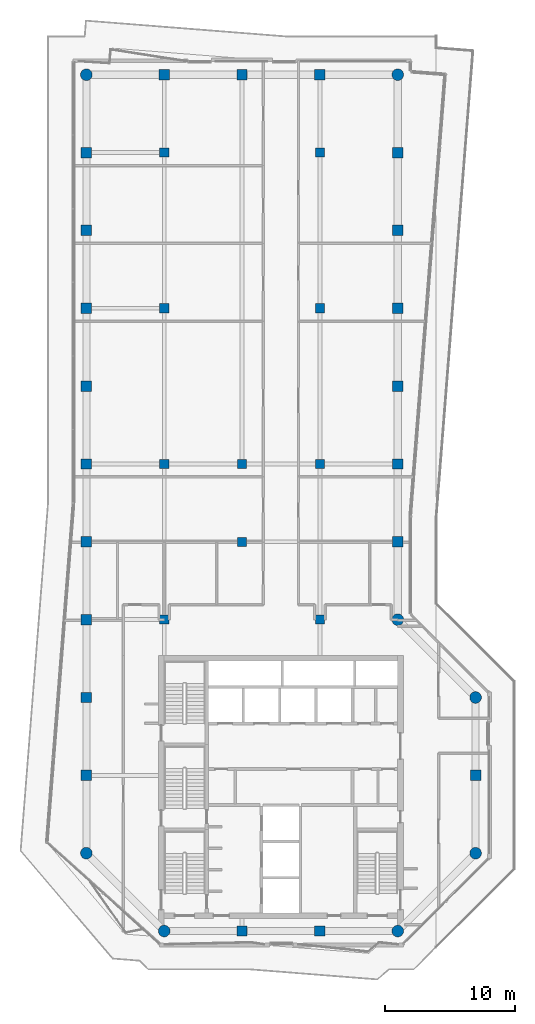
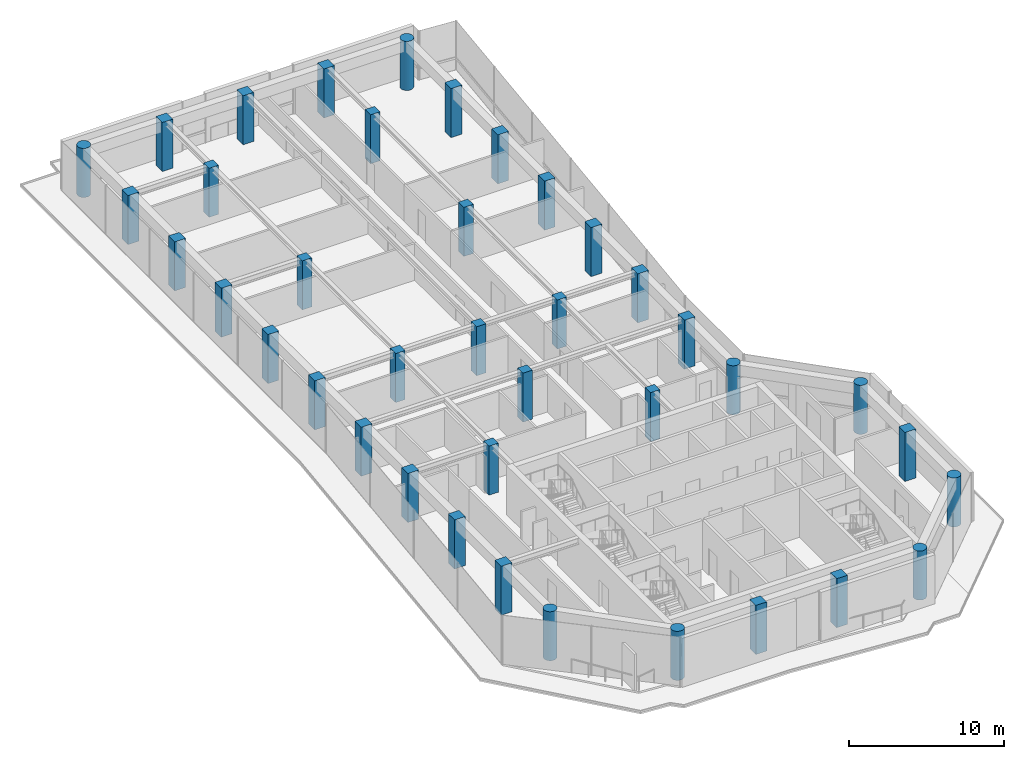
# One storey, part 1 of 23: 39 columns.
"""IFC4 building model written with IfcOpenShell, lengths in metres."""

import ifcopenshell
import ifcopenshell.guid

model = None  # the IFC model being written
_history = None  # IfcOwnerHistory: only IFC2X3 demands one
_inside = {}  # id of a spatial element -> (the spatial element, [elements in it])
_under = {}  # id of a project, library or spatial element -> (it, [spatial elements below it])
_declared = {}  # id of a project -> (the project, [libraries it declares])
_typed = {}  # id of a type object -> (the type object, [elements of that type])
_made_of = {}  # id of a material, layer set ... -> (it, [elements and type objects made of it])


def new_model(schema):
    """Start an empty IFC model of exactly this schema.

    Asked for "IFC4X3", IfcOpenShell would pick the latest addendum, in which some entities
    have other attributes; the version numbers below select the first issue.
    IFC2X3 requires an IfcOwnerHistory on every rooted entity: one is made here for all.
    """
    global model, _history
    if schema == "IFC4X3":
        model = ifcopenshell.file(schema_version=(4, 3, 0, 0))
    else:
        model = ifcopenshell.file(schema=schema)
    _inside.clear()
    _under.clear()
    _declared.clear()
    _typed.clear()
    _made_of.clear()
    _history = None
    if model.schema == "IFC2X3":
        org = make("IfcOrganization", Name="unknown")
        user = make(
            "IfcPersonAndOrganization",
            ThePerson=make("IfcPerson", FamilyName="unknown"),
            TheOrganization=org,
        )
        app = make(
            "IfcApplication",
            ApplicationDeveloper=org,
            Version="unknown",
            ApplicationFullName="unknown",
            ApplicationIdentifier="unknown",
        )
        _history = make(
            "IfcOwnerHistory",
            OwningUser=user,
            OwningApplication=app,
            ChangeAction="ADDED",
            CreationDate=0,
        )
    return model


def make(cls, **values):
    """One entity of the class cls with the attributes given. An attribute that is None is left unset."""
    return model.create_entity(
        cls, **{name: value for name, value in values.items() if value is not None}
    )


def rooted(cls, **values):
    """An entity with a GlobalId (a new one), such as an element, a storey or a relation."""
    return make(cls, GlobalId=ifcopenshell.guid.new(), OwnerHistory=_history, **values)


def si_unit(unit_type, name, prefix=None):
    """IfcSIUnit, for example si_unit("LENGTHUNIT", "METRE", prefix="MILLI")."""
    return make("IfcSIUnit", UnitType=unit_type, Prefix=prefix, Name=name)


def assignment(units):
    """IfcUnitAssignment: the units of a project."""
    return None if units is None else make("IfcUnitAssignment", Units=units)


def point(xyz):
    """IfcCartesianPoint."""
    return None if xyz is None else make("IfcCartesianPoint", Coordinates=xyz)


def direction(xyz):
    """IfcDirection."""
    return None if xyz is None else make("IfcDirection", DirectionRatios=xyz)


def frame(location, z_axis=None, x_axis=None):
    """IfcAxis2Placement3D, a coordinate frame: its origin and axes. An axis left out is left unset."""
    return make(
        "IfcAxis2Placement3D",
        Location=point(location),
        Axis=direction(z_axis),
        RefDirection=direction(x_axis),
    )


def frame_2d(location, x_axis=None):
    """IfcAxis2Placement2D, a coordinate frame in the plane: its origin and x axis."""
    return make(
        "IfcAxis2Placement2D", Location=point(location), RefDirection=direction(x_axis)
    )


def origin():
    """The frame at (0, 0, 0) with its axes left unset."""
    return frame((0.0, 0.0, 0.0))


def origin_2d():
    """The frame at (0, 0) in the plane with its x axis left unset."""
    return frame_2d((0.0, 0.0))


def place(relative_to, where):
    """IfcLocalPlacement: puts the frame where relative to a parent placement (None: the world)."""
    return make(
        "IfcLocalPlacement", PlacementRelTo=relative_to, RelativePlacement=where
    )


def context(
    kind, dimensions, precision=None, world=None, true_north=None, identifier=None
):
    """IfcGeometricRepresentationContext, for example the 3D "Model" context."""
    return make(
        "IfcGeometricRepresentationContext",
        ContextIdentifier=identifier,
        ContextType=kind,
        CoordinateSpaceDimension=dimensions,
        Precision=precision,
        WorldCoordinateSystem=world,
        TrueNorth=true_north,
    )


def subcontext(parent, identifier, kind, view, scale=None):
    """IfcGeometricRepresentationSubContext, for example "Body" below "Model"."""
    return make(
        "IfcGeometricRepresentationSubContext",
        ContextIdentifier=identifier,
        ContextType=kind,
        ParentContext=parent,
        TargetScale=scale,
        TargetView=view,
    )


def project(units=None, contexts=None):
    """IfcProject with its units and contexts."""
    return rooted(
        "IfcProject",
        Name="project",
        RepresentationContexts=contexts,
        UnitsInContext=assignment(units),
    )


def spatial(cls, under=None, at=None, **own):
    """A site, building, storey or space (cls), placed at a placement, below another one or the project."""
    s = rooted(cls, ObjectPlacement=at, **own)
    if under is not None:
        _under.setdefault(under.id(), (under, []))[1].append(s)
    return s


def profile(cls, at=None, kind="AREA", **sizes):
    """A parametric profile (cls). Its sizes go by their IFC names, for example OverallWidth=200.0."""
    return make(cls, ProfileType=kind, Position=at, **sizes)


def rectangle(**sizes):
    """IfcRectangleProfileDef."""
    return profile("IfcRectangleProfileDef", **sizes)


def circle(**sizes):
    """IfcCircleProfileDef."""
    return profile("IfcCircleProfileDef", **sizes)


def extrude(swept, where, along, depth):
    """IfcExtrudedAreaSolid: the profile swept, set in the frame where, extruded along a direction by depth."""
    return make(
        "IfcExtrudedAreaSolid",
        SweptArea=swept,
        Position=where,
        ExtrudedDirection=direction(along),
        Depth=depth,
    )


def shape(context_of_items, identifier, shape_type, items):
    """IfcShapeRepresentation: the items that make up one representation, for example the "Body"."""
    return make(
        "IfcShapeRepresentation",
        ContextOfItems=context_of_items,
        RepresentationIdentifier=identifier,
        RepresentationType=shape_type,
        Items=items,
    )


def material(Name=None, Category=None):
    """IfcMaterial."""
    return make("IfcMaterial", Name=Name, Category=Category)


def material_profile(
    of_material, cross_section, Name=None, Category=None, Priority=None
):
    """IfcMaterialProfile: a cross section and its material."""
    return make(
        "IfcMaterialProfile",
        Name=Name,
        Material=of_material,
        Profile=cross_section,
        Priority=Priority,
        Category=Category,
    )


def profile_set(profiles, Name=None, composite=None):
    """IfcMaterialProfileSet."""
    return make(
        "IfcMaterialProfileSet",
        Name=Name,
        MaterialProfiles=profiles,
        CompositeProfile=composite,
    )


def made_of(thing, what):
    """Note that an element or type object is made of a material, layer set ...; save() writes the relation."""
    if what is not None:
        _made_of.setdefault(what.id(), (what, []))[1].append(thing)
    return thing


def type_object(cls, material=None, **own):
    """A type object (cls), such as IfcWallType, which elements share."""
    return made_of(rooted(cls, **own), material)


def element(
    cls,
    number,
    at=None,
    inside=None,
    cuts=None,
    type_object=None,
    material=None,
    context=None,
    identifier="Body",
    shape_type=None,
    held_by="IfcProductDefinitionShape",
    body=None,
    shapes=None,
    **own,
):
    """One element of the class cls, such as IfcWall. Its Tag is "e" and its number.

    at: its placement. inside: the storey or other place that contains it. cuts: it is an
    opening in that element (IfcRelVoidsElement). A single representation is given by context,
    identifier, shape_type and body (its items); several are given by shapes. held_by: the class
    of the entity that holds the representations. save() writes the other relations.
    """
    e = rooted(cls, Tag="e%d" % number, ObjectPlacement=at, **own)
    if body is not None:
        shapes = [shape(context, identifier, shape_type, body)]
    if shapes is not None:
        e.Representation = make(held_by, Representations=shapes)
    if inside is not None:
        _inside.setdefault(inside.id(), (inside, []))[1].append(e)
    if cuts is not None:
        rooted(
            "IfcRelVoidsElement", RelatingBuildingElement=cuts, RelatedOpeningElement=e
        )
    if type_object is not None:
        _typed.setdefault(type_object.id(), (type_object, []))[1].append(e)
    return made_of(e, material)


def aggregate(whole, parts):
    """IfcRelAggregates: a whole, such as a stair, and the parts it consists of."""
    return rooted("IfcRelAggregates", RelatingObject=whole, RelatedObjects=parts)


def save(model, path):
    """Write the relations noted so far, then the file.

    IfcRelAggregates (storeys below a building ...), IfcRelContainedInSpatialStructure (elements
    in a storey), IfcRelDefinesByType, IfcRelAssociatesMaterial and IfcRelDeclares: one each for
    every whole, place, type object, material and project.
    """
    for whole, parts in _under.values():
        aggregate(whole, parts)
    for where, things in _inside.values():
        rooted(
            "IfcRelContainedInSpatialStructure",
            RelatedElements=things,
            RelatingStructure=where,
        )
    for kind, things in _typed.values():
        rooted("IfcRelDefinesByType", RelatedObjects=things, RelatingType=kind)
    for what, things in _made_of.values():
        rooted("IfcRelAssociatesMaterial", RelatedObjects=things, RelatingMaterial=what)
    for by, libraries in _declared.values():
        rooted("IfcRelDeclares", RelatingContext=by, RelatedDefinitions=libraries)
    model.write(path)


model = new_model("IFC4")

# Units and contexts
model_context = context("Model", 3, precision=1e-05, world=origin(), true_north=direction((0.0, 1.0)))
body_context = subcontext(model_context, "Body", "Model", "MODEL_VIEW")
ifc_project = project(units=[si_unit("LENGTHUNIT", "METRE"), si_unit("AREAUNIT", "SQUARE_METRE"), si_unit("VOLUMEUNIT", "CUBIC_METRE"), si_unit("PLANEANGLEUNIT", "RADIAN"), si_unit("MASSUNIT", "GRAM", prefix="KILO")], contexts=[model_context])

# Site, building, storey
site_placement = place(None, origin())
site = spatial("IfcSite", under=ifc_project, at=site_placement, CompositionType="ELEMENT")
building_placement = place(site_placement, origin())
building = spatial("IfcBuilding", under=site, at=building_placement, Name="Welwitschia Terrace Campus", CompositionType="ELEMENT")
storey_placement = place(building_placement, frame((0.0, 0.0, 247.39990234375)))
storey = spatial("IfcBuildingStorey", under=building, at=storey_placement, Name="L55", CompositionType="ELEMENT", Elevation=247.39990234375)

# Columns
ifc_material_1 = material(Name="Concrete C50/60", Category="concrete")
ifc_material_profile_1 = material_profile(ifc_material_1, circle(Radius=0.449951171875, at=origin_2d()))
ifc_profile_set_1 = profile_set([ifc_material_profile_1], Name="Concrete C50/60")
column_type_1 = type_object("IfcColumnType", Name="Corner column 900 dia", PredefinedType="COLUMN", material=ifc_profile_set_1)
for number, where, z_axis, x_axis, name in (
    (1, (0.0, 10.0, 0.0), (0.0, 0.0, 1.0), (1.0, 0.0, 0.0), "Column C32"),
    (2, (0.0, 70.0, 0.0), (0.0, 0.0, 1.0), (1.0, 0.0, 0.0), "Column C32"),
    (3, (6.0, 4.0, 0.0), (0.0, 0.0, 1.0), (1.0, 0.0, 0.0), "Column C32"),
    (4, (24.0, 4.0, 0.0), (0.0, 0.0, 1.0), (1.0, 0.0, 0.0), "Column C32"),
    (5, (24.0, 28.0, 0.0), (0.0, 0.0, 1.0), (1.0, 0.0, 0.0), "Column C32"),
    (6, (24.0, 70.0, 0.0), (0.0, 0.0, 1.0), (1.0, 0.0, 0.0), "Column C32"),
    (7, (30.0, 10.0, 0.0), (0.0, 0.0, 1.0), (1.0, 0.0, 0.0), "Column C32"),
    (8, (30.0, 22.0, 0.0), (0.0, 0.0, 1.0), (1.0, 0.0, 0.0), "Column C32"),
):
    element("IfcColumn", number, at=place(storey_placement, frame(where, z_axis=z_axis, x_axis=x_axis)), inside=storey, type_object=column_type_1, Name=name, PredefinedType="COLUMN", context=body_context, shape_type="SweptSolid", body=[
        extrude(circle(Radius=0.449951171875, at=origin_2d()), origin(), (0.0, 0.0, 1.0), 3.85009765625),
    ])
ifc_material_2 = material(Name="Concrete C50/60", Category="concrete")
ifc_material_profile_2 = material_profile(ifc_material_2, rectangle(XDim=0.699951171875, YDim=0.699951171875, at=origin_2d()))
ifc_profile_set_2 = profile_set([ifc_material_profile_2], Name="Concrete C50/60")
column_type_2 = type_object("IfcColumnType", Name="Interior column 700x700", PredefinedType="COLUMN", material=ifc_profile_set_2)
for number, where, z_axis, x_axis, name in (
    (9, (6.0, 28.0, 0.0), (0.0, 0.0, 1.0), (1.0, 0.0, 0.0), "Column C34"),
    (10, (6.0, 40.0, 0.0), (0.0, 0.0, 1.0), (1.0, 0.0, 0.0), "Column C34"),
    (11, (6.0, 52.0, 0.0), (0.0, 0.0, 1.0), (1.0, 0.0, 0.0), "Column C34"),
    (12, (6.0, 64.0, 0.0), (0.0, 0.0, 1.0), (1.0, 0.0, 0.0), "Column C34"),
    (13, (12.0, 34.0, 0.0), (0.0, 0.0, 1.0), (1.0, 0.0, 0.0), "Column C34"),
    (14, (12.0, 40.0, 0.0), (0.0, 0.0, 1.0), (1.0, 0.0, 0.0), "Column C34"),
    (15, (18.0, 28.0, 0.0), (0.0, 0.0, 1.0), (1.0, 0.0, 0.0), "Column C34"),
    (16, (18.0, 40.0, 0.0), (0.0, 0.0, 1.0), (1.0, 0.0, 0.0), "Column C34"),
    (17, (18.0, 52.0, 0.0), (0.0, 0.0, 1.0), (1.0, 0.0, 0.0), "Column C34"),
    (18, (18.0, 64.0, 0.0), (0.0, 0.0, 1.0), (1.0, 0.0, 0.0), "Column C34"),
):
    element("IfcColumn", number, at=place(storey_placement, frame(where, z_axis=z_axis, x_axis=x_axis)), inside=storey, type_object=column_type_2, Name=name, PredefinedType="COLUMN", context=body_context, shape_type="SweptSolid", body=[
        extrude(rectangle(XDim=0.699951171875, YDim=0.699951171875, at=origin_2d()), origin(), (0.0, 0.0, 1.0), 3.85009765625),
    ])
ifc_material_3 = material(Name="Concrete C50/60", Category="concrete")
ifc_material_profile_3 = material_profile(ifc_material_3, rectangle(XDim=0.800048828125, YDim=0.800048828125, at=origin_2d()))
ifc_profile_set_3 = profile_set([ifc_material_profile_3], Name="Concrete C50/60")
column_type_3 = type_object("IfcColumnType", Name="Ring column 800x800", PredefinedType="COLUMN", material=ifc_profile_set_3)
for number, where, z_axis, x_axis, name in (
    (19, (0.0, 16.0, 0.0), (0.0, 0.0, 1.0), (1.0, 0.0, 0.0), "Column C33"),
    (20, (0.0, 22.0, 0.0), (0.0, 0.0, 1.0), (1.0, 0.0, 0.0), "Column C33"),
    (21, (0.0, 28.0, 0.0), (0.0, 0.0, 1.0), (1.0, 0.0, 0.0), "Column C33"),
    (22, (0.0, 34.0, 0.0), (0.0, 0.0, 1.0), (1.0, 0.0, 0.0), "Column C33"),
    (23, (0.0, 40.0, 0.0), (0.0, 0.0, 1.0), (1.0, 0.0, 0.0), "Column C33"),
    (24, (0.0, 46.0, 0.0), (0.0, 0.0, 1.0), (1.0, 0.0, 0.0), "Column C33"),
    (25, (0.0, 52.0, 0.0), (0.0, 0.0, 1.0), (1.0, 0.0, 0.0), "Column C33"),
    (26, (0.0, 58.0, 0.0), (0.0, 0.0, 1.0), (1.0, 0.0, 0.0), "Column C33"),
    (27, (0.0, 64.0, 0.0), (0.0, 0.0, 1.0), (1.0, 0.0, 0.0), "Column C33"),
    (28, (6.0, 70.0, 0.0), (0.0, 0.0, 1.0), (1.0, 0.0, 0.0), "Column C33"),
    (29, (12.0, 4.0, 0.0), (0.0, 0.0, 1.0), (1.0, 0.0, 0.0), "Column C33"),
    (30, (12.0, 70.0, 0.0), (0.0, 0.0, 1.0), (1.0, 0.0, 0.0), "Column C33"),
    (31, (18.0, 4.0, 0.0), (0.0, 0.0, 1.0), (1.0, 0.0, 0.0), "Column C33"),
    (32, (18.0, 70.0, 0.0), (0.0, 0.0, 1.0), (1.0, 0.0, 0.0), "Column C33"),
    (33, (24.0, 34.0, 0.0), (0.0, 0.0, 1.0), (1.0, 0.0, 0.0), "Column C33"),
    (34, (24.0, 40.0, 0.0), (0.0, 0.0, 1.0), (1.0, 0.0, 0.0), "Column C33"),
    (35, (24.0, 46.0, 0.0), (0.0, 0.0, 1.0), (1.0, 0.0, 0.0), "Column C33"),
    (36, (24.0, 52.0, 0.0), (0.0, 0.0, 1.0), (1.0, 0.0, 0.0), "Column C33"),
    (37, (24.0, 58.0, 0.0), (0.0, 0.0, 1.0), (1.0, 0.0, 0.0), "Column C33"),
    (38, (24.0, 64.0, 0.0), (0.0, 0.0, 1.0), (1.0, 0.0, 0.0), "Column C33"),
    (39, (30.0, 16.0, 0.0), (0.0, 0.0, 1.0), (1.0, 0.0, 0.0), "Column C33"),
):
    element("IfcColumn", number, at=place(storey_placement, frame(where, z_axis=z_axis, x_axis=x_axis)), inside=storey, type_object=column_type_3, Name=name, PredefinedType="COLUMN", context=body_context, shape_type="SweptSolid", body=[
        extrude(rectangle(XDim=0.800048828125, YDim=0.800048828125, at=origin_2d()), origin(), (0.0, 0.0, 1.0), 3.85009765625),
    ])

save(model, "model.ifc")
